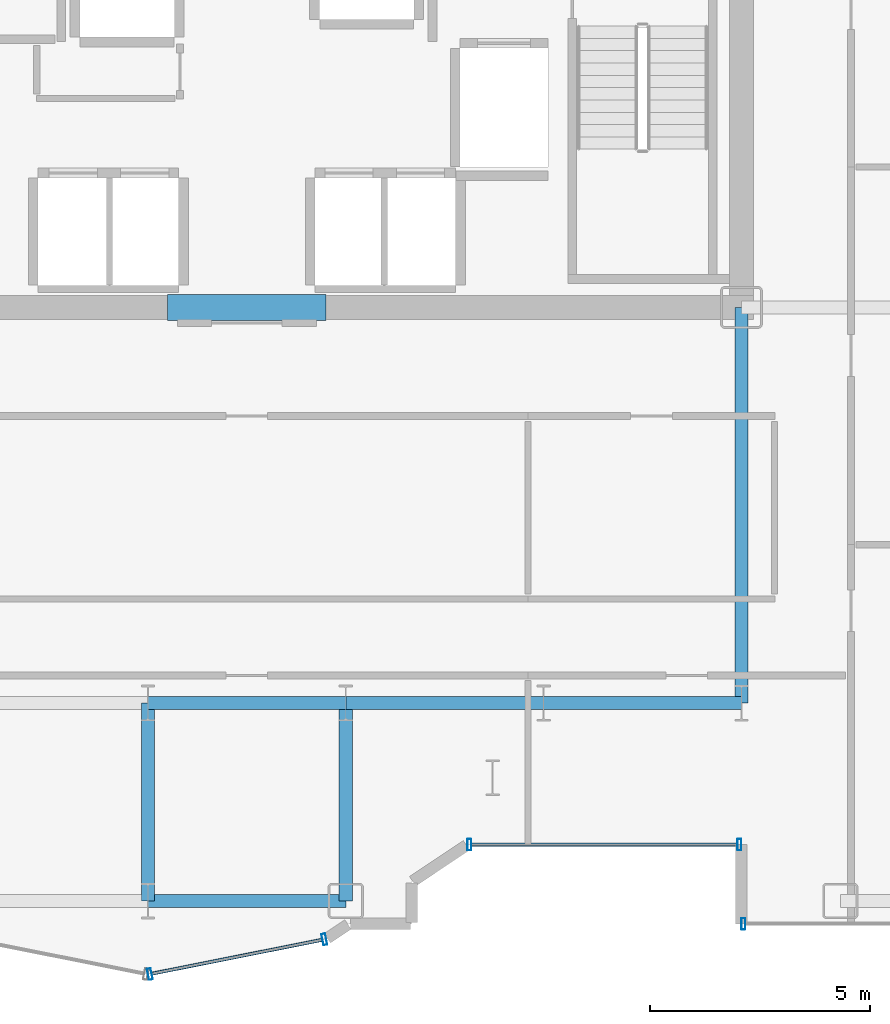
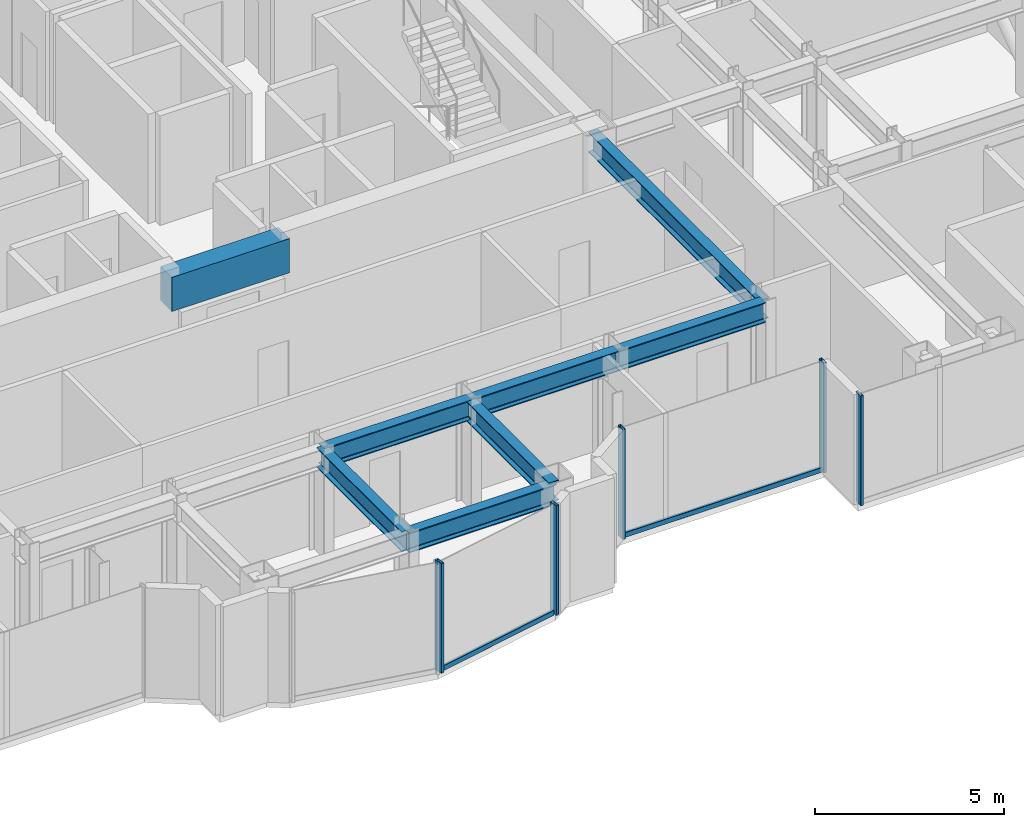
# One storey, part 9 of 27: 8 beams, 7 members, 3 elements without a shape of their own.
"""IFC4 building model written with IfcOpenShell, lengths in metres."""

from ifc_helpers import new_model, si_unit, direction, frame, origin, origin_2d, place, context, subcontext, project, spatial, rectangle, hollow_rectangle, i_section, extrude, source, transform, mapped, material, layer, layer_set, material_profile, profile_set, type_object, element, aggregate, save


model = new_model("IFC4")

# Units and contexts
model_context = context("Model", 3, precision=1e-05, world=origin(), true_north=direction((0.0, 1.0)))
body_context = subcontext(model_context, "Body", "Model", "MODEL_VIEW")
ifc_project = project(units=[si_unit("LENGTHUNIT", "METRE"), si_unit("AREAUNIT", "SQUARE_METRE"), si_unit("VOLUMEUNIT", "CUBIC_METRE"), si_unit("PLANEANGLEUNIT", "RADIAN"), si_unit("MASSUNIT", "GRAM", prefix="KILO")], contexts=[model_context])

# Site, building, storey
site_placement = place(None, origin())
site = spatial("IfcSite", under=ifc_project, at=site_placement, CompositionType="ELEMENT")
building_placement = place(site_placement, origin())
building = spatial("IfcBuilding", under=site, at=building_placement, Name="Nefas-Gora Pilgrimage Tower", CompositionType="ELEMENT")
storey_placement = place(building_placement, frame((0.0, 0.0, 183.0)))
storey = spatial("IfcBuildingStorey", under=building, at=storey_placement, Name="L45", CompositionType="ELEMENT", Elevation=183.0)

# Beams
ifc_material_1 = material(Name="Concrete C60/75", Category="concrete")
ifc_material_profile_1 = material_profile(ifc_material_1, rectangle(XDim=0.60009765625, YDim=1.10009765625, at=origin_2d()), Name="RC 600x1100")
ifc_profile_set_1 = profile_set([ifc_material_profile_1], Name="Concrete C60/75")
beam_type_1 = type_object("IfcBeamType", Name="BM-LIN-RC1100", PredefinedType="LINTEL", material=ifc_profile_set_1)
shared_shape_1 = source(origin(), body_context, "Body", "SweptSolid", [
    extrude(rectangle(XDim=0.60009765625, YDim=1.10009765625, at=origin_2d()), origin(), (0.0, 0.0, 1.0), 3.60009765625),
])
beam_1_placement = place(storey_placement, frame((-1.800048828125, -9.0, 3.0), z_axis=(1.0, 0.0, 0.0), x_axis=(0.0, 1.0, 0.0)))
element("IfcBeam", 1, at=beam_1_placement, inside=storey, type_object=beam_type_1, Name="L45 Core Coupling Lintel Beam S", PredefinedType="LINTEL", context=body_context, shape_type="MappedRepresentation", body=[
    mapped(shared_shape_1, transform((0.0, 0.0, 0.0), x_axis=(1.0, 0.0, 0.0), y_axis=(0.0, 1.0, 0.0), z_axis=(0.0, 0.0, 1.0), scale=1.0)),
])
ifc_material_2 = material(Name="Steel S355", Category="steel")
ifc_material_profile_2 = material_profile(ifc_material_2, i_section(OverallWidth=0.300048828125, OverallDepth=0.64990234375, WebThickness=0.01611328125, FlangeThickness=0.031005859375, FilletRadius=0.027099609375, at=origin_2d()), Name="HEB 650")
ifc_profile_set_2 = profile_set([ifc_material_profile_2], Name="Steel S355")
beam_type_2 = type_object("IfcBeamType", Name="BM-GIR-HEB650", PredefinedType="BEAM", material=ifc_profile_set_2)
shared_shape_2 = source(origin(), body_context, "Body", "SweptSolid", [
    extrude(i_section(OverallWidth=0.300048828125, OverallDepth=0.64990234375, WebThickness=0.01611328125, FlangeThickness=0.031005859375, FilletRadius=0.027099609375, at=origin_2d()), origin(), (0.0, 0.0, 1.0), 9.0),
])
beam_2_placement = place(storey_placement, frame((11.25, -18.0, 3.22509765625), z_axis=(0.0, 1.0, 0.0), x_axis=(-1.0, 0.0, 0.0)))
element("IfcBeam", 2, at=beam_2_placement, inside=storey, type_object=beam_type_2, Name="L45 G-03 beam", PredefinedType="BEAM", context=body_context, shape_type="MappedRepresentation", body=[
    mapped(shared_shape_2, transform((0.0, 0.0, 0.0), x_axis=(1.0, 0.0, 0.0), y_axis=(0.0, 1.0, 0.0), z_axis=(0.0, 0.0, 1.0), scale=1.0)),
])
shared_shape_3 = source(origin(), body_context, "Body", "SweptSolid", [
    extrude(i_section(OverallWidth=0.300048828125, OverallDepth=0.64990234375, WebThickness=0.01611328125, FlangeThickness=0.031005859375, FilletRadius=0.027099609375, at=origin_2d()), origin(), (0.0, 0.0, 1.0), 4.5),
])
for number, where, z_axis, x_axis, name in (
    (3, (-2.25, -22.5, 3.22509765625), (0.0, 1.0, 0.0), (-1.0, 0.0, 0.0), "L45 G-03 beam"),
    (4, (-2.25, -22.5, 3.22509765625), (1.0, 0.0, 0.0), (0.0, 1.0, 0.0), "L45 G-03 beam"),
    (5, (-2.25, -18.0, 3.22509765625), (1.0, 0.0, 0.0), (0.0, 1.0, 0.0), "L45 G-03 beam"),
    (6, (2.25, -22.5, 3.22509765625), (0.0, 1.0, 0.0), (-1.0, 0.0, 0.0), "L45 G-03 beam"),
    (7, (2.25, -18.0, 3.22509765625), (1.0, 0.0, 0.0), (0.0, 1.0, 0.0), "L45 G-03 beam"),
    (8, (6.75, -18.0, 3.22509765625), (1.0, 0.0, 0.0), (0.0, 1.0, 0.0), "L45 G-03 beam"),
):
    element("IfcBeam", number, at=place(storey_placement, frame(where, z_axis=z_axis, x_axis=x_axis)), inside=storey, type_object=beam_type_2, Name=name, PredefinedType="BEAM", context=body_context, shape_type="MappedRepresentation", body=[
        mapped(shared_shape_3, transform((0.0, 0.0, 0.0), x_axis=(1.0, 0.0, 0.0), y_axis=(0.0, 1.0, 0.0), z_axis=(0.0, 0.0, 1.0), scale=1.0)),
    ])

# Curtain wall, members
ifc_material_3 = material(Name="Dark ceramic-fritted solar-control aluminium-glass curtain wall", Category="aluminium")
ifc_layer_1 = layer(ifc_material_3, 0.219970703125)
ifc_layer_set_1 = layer_set([ifc_layer_1], Name="Dark ceramic-fritted solar-control aluminium-glass curtain wall")
curtain_wall_type_1 = type_object("IfcCurtainWallType", Name="CW-SYS-5", PredefinedType="NOTDEFINED", material=ifc_layer_set_1)
curtain_wall_1_placement = place(storey_placement, origin())
curtain_wall_1 = element("IfcCurtainWall", 9, at=curtain_wall_1_placement, inside=storey, type_object=curtain_wall_type_1, Name="L45 Unitised Curtain Wall CW5", PredefinedType="NOTDEFINED")
ifc_material_4 = material(Name="Anodised architectural aluminium", Category="aluminium")
ifc_material_profile_3 = material_profile(ifc_material_4, hollow_rectangle(XDim=0.090087890625, YDim=0.260009765625, WallThickness=0.006103515625, InnerFilletRadius=0.006103515625, OuterFilletRadius=0.011962890625, at=origin_2d()), Name="ALU MULLION 90x260")
ifc_profile_set_3 = profile_set([ifc_material_profile_3], Name="Anodised architectural aluminium")
member_type_1 = type_object("IfcMemberType", Name="CWM-MUL-5", PredefinedType="MULLION", material=ifc_profile_set_3)
shared_shape_4 = source(origin(), body_context, "Body", "SweptSolid", [
    extrude(hollow_rectangle(XDim=0.090087890625, YDim=0.260009765625, WallThickness=0.006103515625, InnerFilletRadius=0.006103515625, OuterFilletRadius=0.011962890625, at=origin_2d()), origin(), (0.0, 0.0, 1.0), 3.550048828125),
])
member_1_placement = place(storey_placement, frame((5.06298828125, -21.219970703125, 0.0), z_axis=(0.0, 0.0, 1.0), x_axis=(1.0, 0.0, 0.0)))
member_1 = element("IfcMember", 10, at=member_1_placement, type_object=member_type_1, Name="CW5 Mullion 1", PredefinedType="MULLION", context=body_context, shape_type="MappedRepresentation", body=[
    mapped(shared_shape_4, transform((0.0, 0.0, 0.0), x_axis=(1.0, 0.0, 0.0), y_axis=(0.0, 1.0, 0.0), z_axis=(0.0, 0.0, 1.0), scale=1.0)),
])
member_2_placement = place(storey_placement, frame((11.205078125, -21.219970703125, 0.0), z_axis=(0.0, 0.0, 1.0), x_axis=(1.0, 0.0, 0.0)))
member_2 = element("IfcMember", 11, at=member_2_placement, type_object=member_type_1, Name="CW5 Mullion 2", PredefinedType="MULLION", context=body_context, shape_type="MappedRepresentation", body=[
    mapped(shared_shape_4, transform((0.0, 0.0, 0.0), x_axis=(1.0, 0.0, 0.0), y_axis=(0.0, 1.0, 0.0), z_axis=(0.0, 0.0, 1.0), scale=1.0)),
])

curtain_wall_2_placement = place(storey_placement, origin())
curtain_wall_2 = element("IfcCurtainWall", 12, at=curtain_wall_2_placement, inside=storey, type_object=curtain_wall_type_1, Name="L45 Unitised Curtain Wall CW5", PredefinedType="NOTDEFINED")
member_3_placement = place(storey_placement, frame((-2.205810546875, -24.16357421875, 0.0), z_axis=(0.0, 0.0, 1.0), x_axis=(0.980782896852, 0.195102304554, 0.0)))
member_3 = element("IfcMember", 13, at=member_3_placement, type_object=member_type_1, Name="CW5 Mullion 1", PredefinedType="MULLION", context=body_context, shape_type="MappedRepresentation", body=[
    mapped(shared_shape_4, transform((0.0, 0.0, 0.0), x_axis=(1.0, 0.0, 0.0), y_axis=(0.0, 1.0, 0.0), z_axis=(0.0, 0.0, 1.0), scale=1.0)),
])
member_4_placement = place(storey_placement, frame((1.76318359375, -23.3740234375, 0.0), z_axis=(0.0, 0.0, 1.0), x_axis=(0.980782896852, 0.195102304554, 0.0)))
member_4 = element("IfcMember", 14, at=member_4_placement, type_object=member_type_1, Name="CW5 Mullion 2", PredefinedType="MULLION", context=body_context, shape_type="MappedRepresentation", body=[
    mapped(shared_shape_4, transform((0.0, 0.0, 0.0), x_axis=(1.0, 0.0, 0.0), y_axis=(0.0, 1.0, 0.0), z_axis=(0.0, 0.0, 1.0), scale=1.0)),
])

# Member
ifc_material_profile_4 = material_profile(ifc_material_4, hollow_rectangle(XDim=0.080078125, YDim=0.159912109375, WallThickness=0.00439453125, InnerFilletRadius=0.00439453125, OuterFilletRadius=0.009033203125, at=origin_2d()), Name="ALU TRANSOM 80x160")
ifc_profile_set_4 = profile_set([ifc_material_profile_4], Name="Anodised architectural aluminium")
member_type_2 = type_object("IfcMemberType", Name="CWM-TRN-5", PredefinedType="USERDEFINED", material=ifc_profile_set_4)
shared_shape_5 = source(origin(), body_context, "Body", "SweptSolid", [
    extrude(hollow_rectangle(XDim=0.080078125, YDim=0.159912109375, WallThickness=0.00439453125, InnerFilletRadius=0.00439453125, OuterFilletRadius=0.009033203125, at=origin_2d()), origin(), (0.0, 0.0, 1.0), 6.052001953125),
])
member_5_placement = place(storey_placement, frame((5.10791015625, -21.219970703125, 0.050048828125), z_axis=(1.0, 0.0, 0.0), x_axis=(0.0, 1.0, 0.0)))
member_5 = element("IfcMember", 15, at=member_5_placement, type_object=member_type_2, Name="CW5 Spandrel Transom", ObjectType="TRANSOM", PredefinedType="USERDEFINED", context=body_context, shape_type="MappedRepresentation", body=[
    mapped(shared_shape_5, transform((0.0, 0.0, 0.0), x_axis=(1.0, 0.0, 0.0), y_axis=(0.0, 1.0, 0.0), z_axis=(0.0, 0.0, 1.0), scale=1.0)),
])

aggregate(curtain_wall_1, [member_1, member_2, member_5])

shared_shape_6 = source(origin(), body_context, "Body", "SweptSolid", [
    extrude(hollow_rectangle(XDim=0.080078125, YDim=0.159912109375, WallThickness=0.00439453125, InnerFilletRadius=0.00439453125, OuterFilletRadius=0.009033203125, at=origin_2d()), origin(), (0.0, 0.0, 1.0), 3.95654296875),
])
member_6_placement = place(storey_placement, frame((-2.16162109375, -24.15478515625, 0.050048828125), z_axis=(0.980781880918, 0.195107411605, 0.0), x_axis=(-0.195107411605, 0.980781880918, 0.0)))
member_6 = element("IfcMember", 16, at=member_6_placement, type_object=member_type_2, Name="CW5 Spandrel Transom", ObjectType="TRANSOM", PredefinedType="USERDEFINED", context=body_context, shape_type="MappedRepresentation", body=[
    mapped(shared_shape_6, transform((0.0, 0.0, 0.0), x_axis=(1.0, 0.0, 0.0), y_axis=(0.0, 1.0, 0.0), z_axis=(0.0, 0.0, 1.0), scale=1.0)),
])

aggregate(curtain_wall_2, [member_3, member_4, member_6])

# Curtain wall, member
ifc_layer_2 = layer(ifc_material_3, 0.219970703125)
ifc_layer_set_2 = layer_set([ifc_layer_2], Name="Dark ceramic-fritted solar-control aluminium-glass curtain wall")
curtain_wall_type_2 = type_object("IfcCurtainWallType", Name="CW-SYS-3", PredefinedType="NOTDEFINED", material=ifc_layer_set_2)
curtain_wall_3_placement = place(storey_placement, origin())
curtain_wall_3 = element("IfcCurtainWall", 17, at=curtain_wall_3_placement, inside=storey, type_object=curtain_wall_type_2, Name="L45 Unitised Curtain Wall CW3", PredefinedType="NOTDEFINED")
ifc_material_profile_5 = material_profile(ifc_material_4, hollow_rectangle(XDim=0.090087890625, YDim=0.260009765625, WallThickness=0.006103515625, InnerFilletRadius=0.006103515625, OuterFilletRadius=0.011962890625, at=origin_2d()), Name="ALU MULLION 90x260")
ifc_profile_set_5 = profile_set([ifc_material_profile_5], Name="Anodised architectural aluminium")
member_type_3 = type_object("IfcMemberType", Name="CWM-MUL-3", PredefinedType="MULLION", material=ifc_profile_set_5)
shared_shape_7 = source(origin(), body_context, "Body", "SweptSolid", [
    extrude(hollow_rectangle(XDim=0.090087890625, YDim=0.260009765625, WallThickness=0.006103515625, InnerFilletRadius=0.006103515625, OuterFilletRadius=0.011962890625, at=origin_2d()), origin(), (0.0, 0.0, 1.0), 3.550048828125),
])
member_7_placement = place(storey_placement, frame((11.294921875, -23.02001953125, 0.0), z_axis=(0.0, 0.0, 1.0), x_axis=(1.0, 0.0, 0.0)))
member_7 = element("IfcMember", 18, at=member_7_placement, type_object=member_type_3, Name="CW3 Mullion 1", PredefinedType="MULLION", context=body_context, shape_type="MappedRepresentation", body=[
    mapped(shared_shape_7, transform((0.0, 0.0, 0.0), x_axis=(1.0, 0.0, 0.0), y_axis=(0.0, 1.0, 0.0), z_axis=(0.0, 0.0, 1.0), scale=1.0)),
])
aggregate(curtain_wall_3, [member_7])

save(model, "model.ifc")
